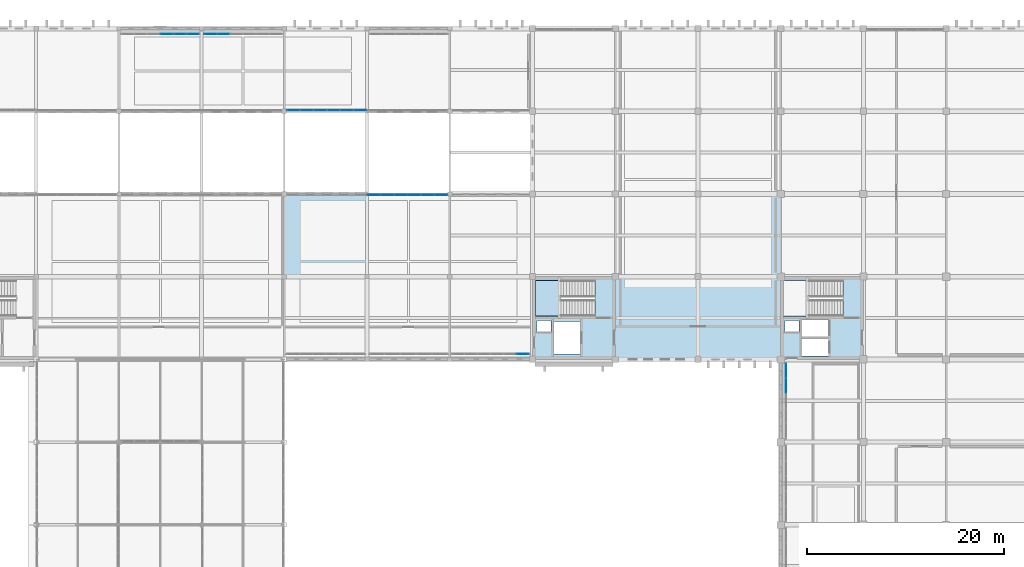
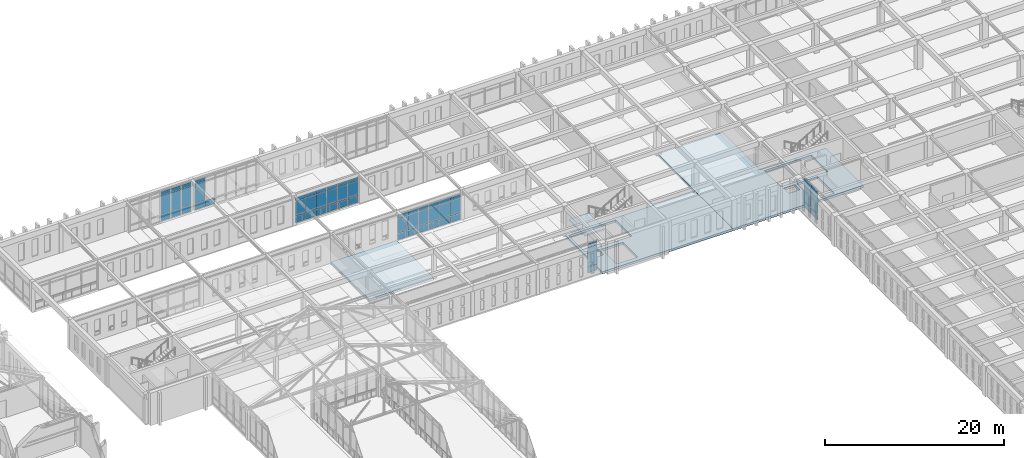
# One storey, part 126 of 192: 58 plates, 4 slabs, 7 elements without a shape of their own.
"""IFC4 building model written with IfcOpenShell, lengths in metres."""

from ifc_helpers import new_model, si_unit, direction, frame, origin, origin_2d, place, context, subcontext, project, spatial, polyline, rectangle, outline, extrude, material, layer, layer_set, type_object, element, aggregate, save


model = new_model("IFC4")

# Units and contexts
model_context = context("Model", 3, precision=1e-05, world=origin(), true_north=direction((0.0, 1.0)))
body_context = subcontext(model_context, "Body", "Model", "MODEL_VIEW")
ifc_project = project(units=[si_unit("LENGTHUNIT", "METRE"), si_unit("AREAUNIT", "SQUARE_METRE"), si_unit("VOLUMEUNIT", "CUBIC_METRE"), si_unit("PLANEANGLEUNIT", "RADIAN"), si_unit("MASSUNIT", "GRAM", prefix="KILO")], contexts=[model_context])

# Site, building, storey
site_placement = place(None, origin())
site = spatial("IfcSite", under=ifc_project, at=site_placement, CompositionType="ELEMENT")
building_placement = place(site_placement, origin())
building = spatial("IfcBuilding", under=site, at=building_placement, Name="Kveldsbrygga Polytechnic", CompositionType="ELEMENT")
storey_placement = place(building_placement, frame((0.0, 0.0, 5.43994140625)))
storey = spatial("IfcBuildingStorey", under=building, at=storey_placement, Name="L01", CompositionType="ELEMENT", Elevation=5.43994140625)

# Curtain wall, plates
ifc_material_1 = material(Name="Anodised aluminium AW-6060", Category="aluminium")
ifc_layer_1 = layer(ifc_material_1, 0.179931640625)
ifc_layer_set_1 = layer_set([ifc_layer_1], Name="Anodised aluminium AW-6060")
curtain_wall_type_1 = type_object("IfcCurtainWallType", Name="CW-CONC-A", PredefinedType="USERDEFINED", material=ifc_layer_set_1)
curtain_wall_1_placement = place(storey_placement, origin())
curtain_wall_1 = element("IfcCurtainWall", 1, at=curtain_wall_1_placement, inside=storey, type_object=curtain_wall_type_1, Name="Curtain Wall CW-L01-X-08-14", ObjectType="UNITISED CURTAIN WALL", PredefinedType="USERDEFINED")
ifc_material_2 = material(Name="Insulated triple low-E glass", Category="glass")
ifc_layer_2 = layer(ifc_material_2, 0.035888671875)
ifc_layer_set_2 = layer_set([ifc_layer_2], Name="Insulated triple low-E glass")
plate_type_1 = type_object("IfcPlateType", Name="CW-PAN-VIS36", PredefinedType="CURTAIN_PANEL", material=ifc_layer_set_2)
plate_1_placement = place(storey_placement, frame((68.0888671875, 117.050048828125, 0.06005859375), z_axis=(0.0, 0.0, 1.0), x_axis=(1.0, 0.0, 0.0)))
plate_1 = element("IfcPlate", 2, at=plate_1_placement, type_object=plate_type_1, Name="CW-01 panel 1.1", PredefinedType="CURTAIN_PANEL", context=body_context, shape_type="SweptSolid", body=[
    extrude(rectangle(XDim=1.237548828125, YDim=0.035888671875, at=origin_2d()), origin(), (0.0, 0.0, 1.0), 0.81005859375),
])
plate_2_placement = place(storey_placement, frame((68.0888671875, 117.050048828125, 0.93017578125), z_axis=(0.0, 0.0, 1.0), x_axis=(1.0, 0.0, 0.0)))
plate_2 = element("IfcPlate", 3, at=plate_2_placement, type_object=plate_type_1, Name="CW-01 panel 1.2", PredefinedType="CURTAIN_PANEL", context=body_context, shape_type="SweptSolid", body=[
    extrude(rectangle(XDim=1.237548828125, YDim=0.035888671875, at=origin_2d()), origin(), (0.0, 0.0, 1.0), 2.610107421875),
])
plate_3_placement = place(storey_placement, frame((68.0888671875, 117.050048828125, 3.60009765625), z_axis=(0.0, 0.0, 1.0), x_axis=(1.0, 0.0, 0.0)))
plate_3 = element("IfcPlate", 4, at=plate_3_placement, type_object=plate_type_1, Name="CW-01 panel 1.3", PredefinedType="CURTAIN_PANEL", context=body_context, shape_type="SweptSolid", body=[
    extrude(rectangle(XDim=1.237548828125, YDim=0.035888671875, at=origin_2d()), origin(), (0.0, 0.0, 1.0), 0.4599609375),
])
plate_4_placement = place(storey_placement, frame((69.4013671875, 117.050048828125, 0.06005859375), z_axis=(0.0, 0.0, 1.0), x_axis=(1.0, 0.0, 0.0)))
plate_4 = element("IfcPlate", 5, at=plate_4_placement, type_object=plate_type_1, Name="CW-01 panel 2.1", PredefinedType="CURTAIN_PANEL", context=body_context, shape_type="SweptSolid", body=[
    extrude(rectangle(XDim=1.267578125, YDim=0.035888671875, at=origin_2d()), origin(), (0.0, 0.0, 1.0), 0.81005859375),
])
aggregate(curtain_wall_1, [plate_1, plate_2, plate_3, plate_4])

curtain_wall_2_placement = place(storey_placement, origin())
curtain_wall_2 = element("IfcCurtainWall", 6, at=curtain_wall_2_placement, inside=storey, type_object=curtain_wall_type_1, Name="Curtain Wall CW-L01-X-09-13", ObjectType="UNITISED CURTAIN WALL", PredefinedType="USERDEFINED")
plate_5_placement = place(storey_placement, frame((76.521240234375, 109.300048828125, 0.06005859375), z_axis=(0.0, 0.0, 1.0), x_axis=(1.0, 0.0, 0.0)))
plate_5 = element("IfcPlate", 7, at=plate_5_placement, type_object=plate_type_1, Name="CW-01 panel 1.1", PredefinedType="CURTAIN_PANEL", context=body_context, shape_type="SweptSolid", body=[
    extrude(rectangle(XDim=1.2724609375, YDim=0.035888671875, at=origin_2d()), origin(), (0.0, 0.0, 1.0), 0.81005859375),
])
plate_6_placement = place(storey_placement, frame((76.521240234375, 109.300048828125, 0.93017578125), z_axis=(0.0, 0.0, 1.0), x_axis=(1.0, 0.0, 0.0)))
plate_6 = element("IfcPlate", 8, at=plate_6_placement, type_object=plate_type_1, Name="CW-01 panel 1.2", PredefinedType="CURTAIN_PANEL", context=body_context, shape_type="SweptSolid", body=[
    extrude(rectangle(XDim=1.2724609375, YDim=0.035888671875, at=origin_2d()), origin(), (0.0, 0.0, 1.0), 2.010009765625),
])
plate_7_placement = place(storey_placement, frame((76.521240234375, 109.300048828125, 3.0), z_axis=(0.0, 0.0, 1.0), x_axis=(1.0, 0.0, 0.0)))
plate_7 = element("IfcPlate", 9, at=plate_7_placement, type_object=plate_type_1, Name="CW-01 panel 1.3", PredefinedType="CURTAIN_PANEL", context=body_context, shape_type="SweptSolid", body=[
    extrude(rectangle(XDim=1.2724609375, YDim=0.035888671875, at=origin_2d()), origin(), (0.0, 0.0, 1.0), 0.4599609375),
])
plate_8_placement = place(storey_placement, frame((77.86865234375, 109.300048828125, 0.06005859375), z_axis=(0.0, 0.0, 1.0), x_axis=(1.0, 0.0, 0.0)))
plate_8 = element("IfcPlate", 10, at=plate_8_placement, type_object=plate_type_1, Name="CW-01 panel 2.1", PredefinedType="CURTAIN_PANEL", context=body_context, shape_type="SweptSolid", body=[
    extrude(rectangle(XDim=1.302490234375, YDim=0.035888671875, at=origin_2d()), origin(), (0.0, 0.0, 1.0), 0.81005859375),
])
plate_9_placement = place(storey_placement, frame((77.86865234375, 109.300048828125, 0.93017578125), z_axis=(0.0, 0.0, 1.0), x_axis=(1.0, 0.0, 0.0)))
plate_9 = element("IfcPlate", 11, at=plate_9_placement, type_object=plate_type_1, Name="CW-01 panel 2.2", PredefinedType="CURTAIN_PANEL", context=body_context, shape_type="SweptSolid", body=[
    extrude(rectangle(XDim=1.302490234375, YDim=0.035888671875, at=origin_2d()), origin(), (0.0, 0.0, 1.0), 2.010009765625),
])
plate_10_placement = place(storey_placement, frame((77.86865234375, 109.300048828125, 3.0), z_axis=(0.0, 0.0, 1.0), x_axis=(1.0, 0.0, 0.0)))
plate_10 = element("IfcPlate", 12, at=plate_10_placement, type_object=plate_type_1, Name="CW-01 panel 2.3", PredefinedType="CURTAIN_PANEL", context=body_context, shape_type="SweptSolid", body=[
    extrude(rectangle(XDim=1.302490234375, YDim=0.035888671875, at=origin_2d()), origin(), (0.0, 0.0, 1.0), 0.4599609375),
])
plate_11_placement = place(storey_placement, frame((79.231201171875, 109.300048828125, 0.06005859375), z_axis=(0.0, 0.0, 1.0), x_axis=(1.0, 0.0, 0.0)))
plate_11 = element("IfcPlate", 13, at=plate_11_placement, type_object=plate_type_1, Name="CW-01 panel 3.1", PredefinedType="CURTAIN_PANEL", context=body_context, shape_type="SweptSolid", body=[
    extrude(rectangle(XDim=1.302490234375, YDim=0.035888671875, at=origin_2d()), origin(), (0.0, 0.0, 1.0), 0.81005859375),
])
plate_12_placement = place(storey_placement, frame((79.231201171875, 109.300048828125, 0.93017578125), z_axis=(0.0, 0.0, 1.0), x_axis=(1.0, 0.0, 0.0)))
plate_12 = element("IfcPlate", 14, at=plate_12_placement, type_object=plate_type_1, Name="CW-01 panel 3.2", PredefinedType="CURTAIN_PANEL", context=body_context, shape_type="SweptSolid", body=[
    extrude(rectangle(XDim=1.302490234375, YDim=0.035888671875, at=origin_2d()), origin(), (0.0, 0.0, 1.0), 2.010009765625),
])
plate_13_placement = place(storey_placement, frame((79.231201171875, 109.300048828125, 3.0), z_axis=(0.0, 0.0, 1.0), x_axis=(1.0, 0.0, 0.0)))
plate_13 = element("IfcPlate", 15, at=plate_13_placement, type_object=plate_type_1, Name="CW-01 panel 3.3", PredefinedType="CURTAIN_PANEL", context=body_context, shape_type="SweptSolid", body=[
    extrude(rectangle(XDim=1.302490234375, YDim=0.035888671875, at=origin_2d()), origin(), (0.0, 0.0, 1.0), 0.4599609375),
])
plate_14_placement = place(storey_placement, frame((80.59375, 109.300048828125, 0.06005859375), z_axis=(0.0, 0.0, 1.0), x_axis=(1.0, 0.0, 0.0)))
plate_14 = element("IfcPlate", 16, at=plate_14_placement, type_object=plate_type_1, Name="CW-01 panel 4.1", PredefinedType="CURTAIN_PANEL", context=body_context, shape_type="SweptSolid", body=[
    extrude(rectangle(XDim=1.302490234375, YDim=0.035888671875, at=origin_2d()), origin(), (0.0, 0.0, 1.0), 0.81005859375),
])
plate_15_placement = place(storey_placement, frame((80.59375, 109.300048828125, 0.93017578125), z_axis=(0.0, 0.0, 1.0), x_axis=(1.0, 0.0, 0.0)))
plate_15 = element("IfcPlate", 17, at=plate_15_placement, type_object=plate_type_1, Name="CW-01 panel 4.2", PredefinedType="CURTAIN_PANEL", context=body_context, shape_type="SweptSolid", body=[
    extrude(rectangle(XDim=1.302490234375, YDim=0.035888671875, at=origin_2d()), origin(), (0.0, 0.0, 1.0), 2.010009765625),
])
plate_16_placement = place(storey_placement, frame((80.59375, 109.300048828125, 3.0), z_axis=(0.0, 0.0, 1.0), x_axis=(1.0, 0.0, 0.0)))
plate_16 = element("IfcPlate", 18, at=plate_16_placement, type_object=plate_type_1, Name="CW-01 panel 4.3", PredefinedType="CURTAIN_PANEL", context=body_context, shape_type="SweptSolid", body=[
    extrude(rectangle(XDim=1.302490234375, YDim=0.035888671875, at=origin_2d()), origin(), (0.0, 0.0, 1.0), 0.4599609375),
])
plate_17_placement = place(storey_placement, frame((81.956298828125, 109.300048828125, 0.06005859375), z_axis=(0.0, 0.0, 1.0), x_axis=(1.0, 0.0, 0.0)))
plate_17 = element("IfcPlate", 19, at=plate_17_placement, type_object=plate_type_1, Name="CW-01 panel 5.1", PredefinedType="CURTAIN_PANEL", context=body_context, shape_type="SweptSolid", body=[
    extrude(rectangle(XDim=1.302490234375, YDim=0.035888671875, at=origin_2d()), origin(), (0.0, 0.0, 1.0), 0.81005859375),
])
plate_18_placement = place(storey_placement, frame((81.956298828125, 109.300048828125, 0.93017578125), z_axis=(0.0, 0.0, 1.0), x_axis=(1.0, 0.0, 0.0)))
plate_18 = element("IfcPlate", 20, at=plate_18_placement, type_object=plate_type_1, Name="CW-01 panel 5.2", PredefinedType="CURTAIN_PANEL", context=body_context, shape_type="SweptSolid", body=[
    extrude(rectangle(XDim=1.302490234375, YDim=0.035888671875, at=origin_2d()), origin(), (0.0, 0.0, 1.0), 2.010009765625),
])
plate_19_placement = place(storey_placement, frame((81.956298828125, 109.300048828125, 3.0), z_axis=(0.0, 0.0, 1.0), x_axis=(1.0, 0.0, 0.0)))
plate_19 = element("IfcPlate", 21, at=plate_19_placement, type_object=plate_type_1, Name="CW-01 panel 5.3", PredefinedType="CURTAIN_PANEL", context=body_context, shape_type="SweptSolid", body=[
    extrude(rectangle(XDim=1.302490234375, YDim=0.035888671875, at=origin_2d()), origin(), (0.0, 0.0, 1.0), 0.4599609375),
])
plate_20_placement = place(storey_placement, frame((83.3037109375, 109.300048828125, 0.06005859375), z_axis=(0.0, 0.0, 1.0), x_axis=(1.0, 0.0, 0.0)))
plate_20 = element("IfcPlate", 22, at=plate_20_placement, type_object=plate_type_1, Name="CW-01 panel 6.1", PredefinedType="CURTAIN_PANEL", context=body_context, shape_type="SweptSolid", body=[
    extrude(rectangle(XDim=1.2724609375, YDim=0.035888671875, at=origin_2d()), origin(), (0.0, 0.0, 1.0), 0.81005859375),
])
plate_21_placement = place(storey_placement, frame((83.3037109375, 109.300048828125, 0.93017578125), z_axis=(0.0, 0.0, 1.0), x_axis=(1.0, 0.0, 0.0)))
plate_21 = element("IfcPlate", 23, at=plate_21_placement, type_object=plate_type_1, Name="CW-01 panel 6.2", PredefinedType="CURTAIN_PANEL", context=body_context, shape_type="SweptSolid", body=[
    extrude(rectangle(XDim=1.2724609375, YDim=0.035888671875, at=origin_2d()), origin(), (0.0, 0.0, 1.0), 2.010009765625),
])
plate_22_placement = place(storey_placement, frame((83.3037109375, 109.300048828125, 3.0), z_axis=(0.0, 0.0, 1.0), x_axis=(1.0, 0.0, 0.0)))
plate_22 = element("IfcPlate", 24, at=plate_22_placement, type_object=plate_type_1, Name="CW-01 panel 6.3", PredefinedType="CURTAIN_PANEL", context=body_context, shape_type="SweptSolid", body=[
    extrude(rectangle(XDim=1.2724609375, YDim=0.035888671875, at=origin_2d()), origin(), (0.0, 0.0, 1.0), 0.4599609375),
])
aggregate(curtain_wall_2, [plate_5, plate_6, plate_7, plate_8, plate_9, plate_10, plate_11, plate_12, plate_13, plate_14, plate_15, plate_16, plate_17, plate_18, plate_19, plate_20, plate_21, plate_22])

curtain_wall_3_placement = place(storey_placement, origin())
curtain_wall_3 = element("IfcCurtainWall", 25, at=curtain_wall_3_placement, inside=storey, type_object=curtain_wall_type_1, Name="Curtain Wall CW-L01-X-10-12", ObjectType="UNITISED CURTAIN WALL", PredefinedType="USERDEFINED")
plate_23_placement = place(storey_placement, frame((84.69873046875, 100.699951171875, 0.06005859375), z_axis=(0.0, 0.0, 1.0), x_axis=(1.0, 0.0, 0.0)))
plate_23 = element("IfcPlate", 26, at=plate_23_placement, type_object=plate_type_1, Name="CW-01 panel 1.1", PredefinedType="CURTAIN_PANEL", context=body_context, shape_type="SweptSolid", body=[
    extrude(rectangle(XDim=1.277587890625, YDim=0.035888671875, at=origin_2d()), origin(), (0.0, 0.0, 1.0), 0.81005859375),
])
plate_24_placement = place(storey_placement, frame((84.69873046875, 100.699951171875, 0.93017578125), z_axis=(0.0, 0.0, 1.0), x_axis=(1.0, 0.0, 0.0)))
plate_24 = element("IfcPlate", 27, at=plate_24_placement, type_object=plate_type_1, Name="CW-01 panel 1.2", PredefinedType="CURTAIN_PANEL", context=body_context, shape_type="SweptSolid", body=[
    extrude(rectangle(XDim=1.277587890625, YDim=0.035888671875, at=origin_2d()), origin(), (0.0, 0.0, 1.0), 2.010009765625),
])
plate_25_placement = place(storey_placement, frame((84.69873046875, 100.699951171875, 3.0), z_axis=(0.0, 0.0, 1.0), x_axis=(1.0, 0.0, 0.0)))
plate_25 = element("IfcPlate", 28, at=plate_25_placement, type_object=plate_type_1, Name="CW-01 panel 1.3", PredefinedType="CURTAIN_PANEL", context=body_context, shape_type="SweptSolid", body=[
    extrude(rectangle(XDim=1.277587890625, YDim=0.035888671875, at=origin_2d()), origin(), (0.0, 0.0, 1.0), 0.4599609375),
])
plate_26_placement = place(storey_placement, frame((86.05126953125, 100.699951171875, 0.06005859375), z_axis=(0.0, 0.0, 1.0), x_axis=(1.0, 0.0, 0.0)))
plate_26 = element("IfcPlate", 29, at=plate_26_placement, type_object=plate_type_1, Name="CW-01 panel 2.1", PredefinedType="CURTAIN_PANEL", context=body_context, shape_type="SweptSolid", body=[
    extrude(rectangle(XDim=1.3076171875, YDim=0.035888671875, at=origin_2d()), origin(), (0.0, 0.0, 1.0), 0.81005859375),
])
plate_27_placement = place(storey_placement, frame((86.05126953125, 100.699951171875, 0.93017578125), z_axis=(0.0, 0.0, 1.0), x_axis=(1.0, 0.0, 0.0)))
plate_27 = element("IfcPlate", 30, at=plate_27_placement, type_object=plate_type_1, Name="CW-01 panel 2.2", PredefinedType="CURTAIN_PANEL", context=body_context, shape_type="SweptSolid", body=[
    extrude(rectangle(XDim=1.3076171875, YDim=0.035888671875, at=origin_2d()), origin(), (0.0, 0.0, 1.0), 2.010009765625),
])
plate_28_placement = place(storey_placement, frame((86.05126953125, 100.699951171875, 3.0), z_axis=(0.0, 0.0, 1.0), x_axis=(1.0, 0.0, 0.0)))
plate_28 = element("IfcPlate", 31, at=plate_28_placement, type_object=plate_type_1, Name="CW-01 panel 2.3", PredefinedType="CURTAIN_PANEL", context=body_context, shape_type="SweptSolid", body=[
    extrude(rectangle(XDim=1.3076171875, YDim=0.035888671875, at=origin_2d()), origin(), (0.0, 0.0, 1.0), 0.4599609375),
])
plate_29_placement = place(storey_placement, frame((87.418701171875, 100.699951171875, 0.06005859375), z_axis=(0.0, 0.0, 1.0), x_axis=(1.0, 0.0, 0.0)))
plate_29 = element("IfcPlate", 32, at=plate_29_placement, type_object=plate_type_1, Name="CW-01 panel 3.1", PredefinedType="CURTAIN_PANEL", context=body_context, shape_type="SweptSolid", body=[
    extrude(rectangle(XDim=1.3076171875, YDim=0.035888671875, at=origin_2d()), origin(), (0.0, 0.0, 1.0), 0.81005859375),
])
plate_30_placement = place(storey_placement, frame((87.418701171875, 100.699951171875, 0.93017578125), z_axis=(0.0, 0.0, 1.0), x_axis=(1.0, 0.0, 0.0)))
plate_30 = element("IfcPlate", 33, at=plate_30_placement, type_object=plate_type_1, Name="CW-01 panel 3.2", PredefinedType="CURTAIN_PANEL", context=body_context, shape_type="SweptSolid", body=[
    extrude(rectangle(XDim=1.3076171875, YDim=0.035888671875, at=origin_2d()), origin(), (0.0, 0.0, 1.0), 2.010009765625),
])
plate_31_placement = place(storey_placement, frame((87.418701171875, 100.699951171875, 3.0), z_axis=(0.0, 0.0, 1.0), x_axis=(1.0, 0.0, 0.0)))
plate_31 = element("IfcPlate", 34, at=plate_31_placement, type_object=plate_type_1, Name="CW-01 panel 3.3", PredefinedType="CURTAIN_PANEL", context=body_context, shape_type="SweptSolid", body=[
    extrude(rectangle(XDim=1.3076171875, YDim=0.035888671875, at=origin_2d()), origin(), (0.0, 0.0, 1.0), 0.4599609375),
])
plate_32_placement = place(storey_placement, frame((88.7861328125, 100.699951171875, 0.06005859375), z_axis=(0.0, 0.0, 1.0), x_axis=(1.0, 0.0, 0.0)))
plate_32 = element("IfcPlate", 35, at=plate_32_placement, type_object=plate_type_1, Name="CW-01 panel 4.1", PredefinedType="CURTAIN_PANEL", context=body_context, shape_type="SweptSolid", body=[
    extrude(rectangle(XDim=1.3076171875, YDim=0.035888671875, at=origin_2d()), origin(), (0.0, 0.0, 1.0), 0.81005859375),
])
plate_33_placement = place(storey_placement, frame((88.7861328125, 100.699951171875, 0.93017578125), z_axis=(0.0, 0.0, 1.0), x_axis=(1.0, 0.0, 0.0)))
plate_33 = element("IfcPlate", 36, at=plate_33_placement, type_object=plate_type_1, Name="CW-01 panel 4.2", PredefinedType="CURTAIN_PANEL", context=body_context, shape_type="SweptSolid", body=[
    extrude(rectangle(XDim=1.3076171875, YDim=0.035888671875, at=origin_2d()), origin(), (0.0, 0.0, 1.0), 2.010009765625),
])
plate_34_placement = place(storey_placement, frame((88.7861328125, 100.699951171875, 3.0), z_axis=(0.0, 0.0, 1.0), x_axis=(1.0, 0.0, 0.0)))
plate_34 = element("IfcPlate", 37, at=plate_34_placement, type_object=plate_type_1, Name="CW-01 panel 4.3", PredefinedType="CURTAIN_PANEL", context=body_context, shape_type="SweptSolid", body=[
    extrude(rectangle(XDim=1.3076171875, YDim=0.035888671875, at=origin_2d()), origin(), (0.0, 0.0, 1.0), 0.4599609375),
])
plate_35_placement = place(storey_placement, frame((90.15380859375, 100.699951171875, 0.06005859375), z_axis=(0.0, 0.0, 1.0), x_axis=(1.0, 0.0, 0.0)))
plate_35 = element("IfcPlate", 38, at=plate_35_placement, type_object=plate_type_1, Name="CW-01 panel 5.1", PredefinedType="CURTAIN_PANEL", context=body_context, shape_type="SweptSolid", body=[
    extrude(rectangle(XDim=1.3076171875, YDim=0.035888671875, at=origin_2d()), origin(), (0.0, 0.0, 1.0), 0.81005859375),
])
plate_36_placement = place(storey_placement, frame((90.15380859375, 100.699951171875, 0.93017578125), z_axis=(0.0, 0.0, 1.0), x_axis=(1.0, 0.0, 0.0)))
plate_36 = element("IfcPlate", 39, at=plate_36_placement, type_object=plate_type_1, Name="CW-01 panel 5.2", PredefinedType="CURTAIN_PANEL", context=body_context, shape_type="SweptSolid", body=[
    extrude(rectangle(XDim=1.3076171875, YDim=0.035888671875, at=origin_2d()), origin(), (0.0, 0.0, 1.0), 2.010009765625),
])
plate_37_placement = place(storey_placement, frame((90.15380859375, 100.699951171875, 3.0), z_axis=(0.0, 0.0, 1.0), x_axis=(1.0, 0.0, 0.0)))
plate_37 = element("IfcPlate", 40, at=plate_37_placement, type_object=plate_type_1, Name="CW-01 panel 5.3", PredefinedType="CURTAIN_PANEL", context=body_context, shape_type="SweptSolid", body=[
    extrude(rectangle(XDim=1.3076171875, YDim=0.035888671875, at=origin_2d()), origin(), (0.0, 0.0, 1.0), 0.4599609375),
])
plate_38_placement = place(storey_placement, frame((91.50634765625, 100.699951171875, 0.06005859375), z_axis=(0.0, 0.0, 1.0), x_axis=(1.0, 0.0, 0.0)))
plate_38 = element("IfcPlate", 41, at=plate_38_placement, type_object=plate_type_1, Name="CW-01 panel 6.1", PredefinedType="CURTAIN_PANEL", context=body_context, shape_type="SweptSolid", body=[
    extrude(rectangle(XDim=1.277587890625, YDim=0.035888671875, at=origin_2d()), origin(), (0.0, 0.0, 1.0), 0.81005859375),
])
plate_39_placement = place(storey_placement, frame((91.50634765625, 100.699951171875, 0.93017578125), z_axis=(0.0, 0.0, 1.0), x_axis=(1.0, 0.0, 0.0)))
plate_39 = element("IfcPlate", 42, at=plate_39_placement, type_object=plate_type_1, Name="CW-01 panel 6.2", PredefinedType="CURTAIN_PANEL", context=body_context, shape_type="SweptSolid", body=[
    extrude(rectangle(XDim=1.277587890625, YDim=0.035888671875, at=origin_2d()), origin(), (0.0, 0.0, 1.0), 2.010009765625),
])
plate_40_placement = place(storey_placement, frame((91.50634765625, 100.699951171875, 3.0), z_axis=(0.0, 0.0, 1.0), x_axis=(1.0, 0.0, 0.0)))
plate_40 = element("IfcPlate", 43, at=plate_40_placement, type_object=plate_type_1, Name="CW-01 panel 6.3", PredefinedType="CURTAIN_PANEL", context=body_context, shape_type="SweptSolid", body=[
    extrude(rectangle(XDim=1.277587890625, YDim=0.035888671875, at=origin_2d()), origin(), (0.0, 0.0, 1.0), 0.4599609375),
])
aggregate(curtain_wall_3, [plate_23, plate_24, plate_25, plate_26, plate_27, plate_28, plate_29, plate_30, plate_31, plate_32, plate_33, plate_34, plate_35, plate_36, plate_37, plate_38, plate_39, plate_40])

ifc_layer_3 = layer(ifc_material_1, 0.2099609375)
ifc_layer_set_3 = layer_set([ifc_layer_3], Name="Anodised aluminium AW-6060")
curtain_wall_type_2 = type_object("IfcCurtainWallType", Name="CW-LIBR-H", PredefinedType="USERDEFINED", material=ifc_layer_set_3)
curtain_wall_4_placement = place(storey_placement, origin())
curtain_wall_4 = element("IfcCurtainWall", 44, at=curtain_wall_4_placement, inside=storey, type_object=curtain_wall_type_2, Name="Curtain Wall CW-L01-X-07-14", ObjectType="UNITISED CURTAIN WALL", PredefinedType="USERDEFINED")
ifc_layer_4 = layer(ifc_material_2, 0.0419921875)
ifc_layer_set_4 = layer_set([ifc_layer_4], Name="Insulated triple low-E glass")
plate_type_2 = type_object("IfcPlateType", Name="CW-PAN-VIS42", PredefinedType="CURTAIN_PANEL", material=ifc_layer_set_4)
plate_41_placement = place(storey_placement, frame((63.65869140625, 117.050048828125, 0.06005859375), z_axis=(0.0, 0.0, 1.0), x_axis=(1.0, 0.0, 0.0)))
plate_41 = element("IfcPlate", 45, at=plate_41_placement, type_object=plate_type_2, Name="CW-08 panel 4.1", PredefinedType="CURTAIN_PANEL", context=body_context, shape_type="SweptSolid", body=[
    extrude(rectangle(XDim=1.257568359375, YDim=0.0419921875, at=origin_2d()), origin(), (0.0, 0.0, 1.0), 0.81005859375),
])
plate_42_placement = place(storey_placement, frame((63.65869140625, 117.050048828125, 0.93017578125), z_axis=(0.0, 0.0, 1.0), x_axis=(1.0, 0.0, 0.0)))
plate_42 = element("IfcPlate", 46, at=plate_42_placement, type_object=plate_type_2, Name="CW-08 panel 4.2", PredefinedType="CURTAIN_PANEL", context=body_context, shape_type="SweptSolid", body=[
    extrude(rectangle(XDim=1.257568359375, YDim=0.0419921875, at=origin_2d()), origin(), (0.0, 0.0, 1.0), 2.610107421875),
])
plate_43_placement = place(storey_placement, frame((63.65869140625, 117.050048828125, 3.60009765625), z_axis=(0.0, 0.0, 1.0), x_axis=(1.0, 0.0, 0.0)))
plate_43 = element("IfcPlate", 47, at=plate_43_placement, type_object=plate_type_2, Name="CW-08 panel 4.3", PredefinedType="CURTAIN_PANEL", context=body_context, shape_type="SweptSolid", body=[
    extrude(rectangle(XDim=1.257568359375, YDim=0.0419921875, at=origin_2d()), origin(), (0.0, 0.0, 1.0), 0.4599609375),
])
plate_44_placement = place(storey_placement, frame((64.9912109375, 117.050048828125, 0.06005859375), z_axis=(0.0, 0.0, 1.0), x_axis=(1.0, 0.0, 0.0)))
plate_44 = element("IfcPlate", 48, at=plate_44_placement, type_object=plate_type_2, Name="CW-08 panel 5.1", PredefinedType="CURTAIN_PANEL", context=body_context, shape_type="SweptSolid", body=[
    extrude(rectangle(XDim=1.257568359375, YDim=0.0419921875, at=origin_2d()), origin(), (0.0, 0.0, 1.0), 0.81005859375),
])
plate_45_placement = place(storey_placement, frame((64.9912109375, 117.050048828125, 0.93017578125), z_axis=(0.0, 0.0, 1.0), x_axis=(1.0, 0.0, 0.0)))
plate_45 = element("IfcPlate", 49, at=plate_45_placement, type_object=plate_type_2, Name="CW-08 panel 5.2", PredefinedType="CURTAIN_PANEL", context=body_context, shape_type="SweptSolid", body=[
    extrude(rectangle(XDim=1.257568359375, YDim=0.0419921875, at=origin_2d()), origin(), (0.0, 0.0, 1.0), 2.610107421875),
])
plate_46_placement = place(storey_placement, frame((64.9912109375, 117.050048828125, 3.60009765625), z_axis=(0.0, 0.0, 1.0), x_axis=(1.0, 0.0, 0.0)))
plate_46 = element("IfcPlate", 50, at=plate_46_placement, type_object=plate_type_2, Name="CW-08 panel 5.3", PredefinedType="CURTAIN_PANEL", context=body_context, shape_type="SweptSolid", body=[
    extrude(rectangle(XDim=1.257568359375, YDim=0.0419921875, at=origin_2d()), origin(), (0.0, 0.0, 1.0), 0.4599609375),
])
plate_47_placement = place(storey_placement, frame((66.304931640625, 117.050048828125, 0.06005859375), z_axis=(0.0, 0.0, 1.0), x_axis=(1.0, 0.0, 0.0)))
plate_47 = element("IfcPlate", 51, at=plate_47_placement, type_object=plate_type_2, Name="CW-08 panel 6.1", PredefinedType="CURTAIN_PANEL", context=body_context, shape_type="SweptSolid", body=[
    extrude(rectangle(XDim=1.219970703125, YDim=0.0419921875, at=origin_2d()), origin(), (0.0, 0.0, 1.0), 0.81005859375),
])
plate_48_placement = place(storey_placement, frame((66.304931640625, 117.050048828125, 0.93017578125), z_axis=(0.0, 0.0, 1.0), x_axis=(1.0, 0.0, 0.0)))
plate_48 = element("IfcPlate", 52, at=plate_48_placement, type_object=plate_type_2, Name="CW-08 panel 6.2", PredefinedType="CURTAIN_PANEL", context=body_context, shape_type="SweptSolid", body=[
    extrude(rectangle(XDim=1.219970703125, YDim=0.0419921875, at=origin_2d()), origin(), (0.0, 0.0, 1.0), 2.610107421875),
])
plate_49_placement = place(storey_placement, frame((66.304931640625, 117.050048828125, 3.60009765625), z_axis=(0.0, 0.0, 1.0), x_axis=(1.0, 0.0, 0.0)))
plate_49 = element("IfcPlate", 53, at=plate_49_placement, type_object=plate_type_2, Name="CW-08 panel 6.3", PredefinedType="CURTAIN_PANEL", context=body_context, shape_type="SweptSolid", body=[
    extrude(rectangle(XDim=1.219970703125, YDim=0.0419921875, at=origin_2d()), origin(), (0.0, 0.0, 1.0), 0.4599609375),
])
aggregate(curtain_wall_4, [plate_41, plate_42, plate_43, plate_44, plate_45, plate_46, plate_47, plate_48, plate_49])

curtain_wall_5_placement = place(storey_placement, origin())
curtain_wall_5 = element("IfcCurtainWall", 54, at=curtain_wall_5_placement, inside=storey, type_object=curtain_wall_type_2, Name="Curtain Wall CW-L01-X-11-10", ObjectType="UNITISED CURTAIN WALL", PredefinedType="USERDEFINED")
plate_50_placement = place(storey_placement, frame((99.813232421875, 84.550048828125, 0.06005859375), z_axis=(0.0, 0.0, 1.0), x_axis=(1.0, 0.0, 0.0)))
plate_50 = element("IfcPlate", 55, at=plate_50_placement, type_object=plate_type_2, Name="CW-08 panel 6.1", PredefinedType="CURTAIN_PANEL", context=body_context, shape_type="SweptSolid", body=[
    extrude(rectangle(XDim=1.203369140625, YDim=0.0419921875, at=origin_2d()), origin(), (0.0, 0.0, 1.0), 0.81005859375),
])
plate_51_placement = place(storey_placement, frame((99.813232421875, 84.550048828125, 0.93017578125), z_axis=(0.0, 0.0, 1.0), x_axis=(1.0, 0.0, 0.0)))
plate_51 = element("IfcPlate", 56, at=plate_51_placement, type_object=plate_type_2, Name="CW-08 panel 6.2", PredefinedType="CURTAIN_PANEL", context=body_context, shape_type="SweptSolid", body=[
    extrude(rectangle(XDim=1.203369140625, YDim=0.0419921875, at=origin_2d()), origin(), (0.0, 0.0, 1.0), 2.610107421875),
])
plate_52_placement = place(storey_placement, frame((99.813232421875, 84.550048828125, 3.60009765625), z_axis=(0.0, 0.0, 1.0), x_axis=(1.0, 0.0, 0.0)))
plate_52 = element("IfcPlate", 57, at=plate_52_placement, type_object=plate_type_2, Name="CW-08 panel 6.3", PredefinedType="CURTAIN_PANEL", context=body_context, shape_type="SweptSolid", body=[
    extrude(rectangle(XDim=1.203369140625, YDim=0.0419921875, at=origin_2d()), origin(), (0.0, 0.0, 1.0), 0.4599609375),
])
aggregate(curtain_wall_5, [plate_50, plate_51, plate_52])

ifc_layer_5 = layer(ifc_material_1, 0.159912109375)
ifc_layer_set_5 = layer_set([ifc_layer_5], Name="Anodised aluminium AW-6060")
curtain_wall_type_3 = type_object("IfcCurtainWallType", Name="CW-CLER-C", PredefinedType="USERDEFINED", material=ifc_layer_set_5)
curtain_wall_6_placement = place(storey_placement, origin())
curtain_wall_6 = element("IfcCurtainWall", 58, at=curtain_wall_6_placement, inside=storey, type_object=curtain_wall_type_3, Name="Curtain Wall CW-L01-Y-15-09", ObjectType="STICK CURTAIN WALL", PredefinedType="USERDEFINED")
ifc_layer_6 = layer(ifc_material_2, 0.048095703125)
ifc_layer_set_6 = layer_set([ifc_layer_6], Name="Insulated triple low-E glass")
plate_type_3 = type_object("IfcPlateType", Name="CW-PAN-VIS48", PredefinedType="CURTAIN_PANEL", material=ifc_layer_set_6)
plate_53_placement = place(storey_placement, frame((126.550048828125, 81.346435546875, 0.074951171875), z_axis=(0.0, 0.0, 1.0), x_axis=(0.0, 1.0, 0.0)))
plate_53 = element("IfcPlate", 59, at=plate_53_placement, type_object=plate_type_3, Name="CW-03 panel 4.1", PredefinedType="CURTAIN_PANEL", context=body_context, shape_type="SweptSolid", body=[
    extrude(rectangle(XDim=1.464111328125, YDim=0.048095703125, at=origin_2d()), origin(), (0.0, 0.0, 1.0), 0.78759765625),
])
plate_54_placement = place(storey_placement, frame((126.550048828125, 81.346435546875, 0.9375), z_axis=(0.0, 0.0, 1.0), x_axis=(0.0, 1.0, 0.0)))
plate_54 = element("IfcPlate", 60, at=plate_54_placement, type_object=plate_type_3, Name="CW-03 panel 4.2", PredefinedType="CURTAIN_PANEL", context=body_context, shape_type="SweptSolid", body=[
    extrude(rectangle(XDim=1.464111328125, YDim=0.048095703125, at=origin_2d()), origin(), (0.0, 0.0, 1.0), 2.594970703125),
])
plate_55_placement = place(storey_placement, frame((126.550048828125, 81.346435546875, 3.607666015625), z_axis=(0.0, 0.0, 1.0), x_axis=(0.0, 1.0, 0.0)))
plate_55 = element("IfcPlate", 61, at=plate_55_placement, type_object=plate_type_3, Name="CW-03 panel 4.3", PredefinedType="CURTAIN_PANEL", context=body_context, shape_type="SweptSolid", body=[
    extrude(rectangle(XDim=1.464111328125, YDim=0.048095703125, at=origin_2d()), origin(), (0.0, 0.0, 1.0), 0.4375),
])
plate_56_placement = place(storey_placement, frame((126.550048828125, 82.86669921875, 0.074951171875), z_axis=(0.0, 0.0, 1.0), x_axis=(0.0, 1.0, 0.0)))
plate_56 = element("IfcPlate", 62, at=plate_56_placement, type_object=plate_type_3, Name="CW-03 panel 5.1", PredefinedType="CURTAIN_PANEL", context=body_context, shape_type="SweptSolid", body=[
    extrude(rectangle(XDim=1.426513671875, YDim=0.048095703125, at=origin_2d()), origin(), (0.0, 0.0, 1.0), 0.78759765625),
])
plate_57_placement = place(storey_placement, frame((126.550048828125, 82.86669921875, 0.9375), z_axis=(0.0, 0.0, 1.0), x_axis=(0.0, 1.0, 0.0)))
plate_57 = element("IfcPlate", 63, at=plate_57_placement, type_object=plate_type_3, Name="CW-03 panel 5.2", PredefinedType="CURTAIN_PANEL", context=body_context, shape_type="SweptSolid", body=[
    extrude(rectangle(XDim=1.426513671875, YDim=0.048095703125, at=origin_2d()), origin(), (0.0, 0.0, 1.0), 2.594970703125),
])
plate_58_placement = place(storey_placement, frame((126.550048828125, 82.86669921875, 3.607666015625), z_axis=(0.0, 0.0, 1.0), x_axis=(0.0, 1.0, 0.0)))
plate_58 = element("IfcPlate", 64, at=plate_58_placement, type_object=plate_type_3, Name="CW-03 panel 5.3", PredefinedType="CURTAIN_PANEL", context=body_context, shape_type="SweptSolid", body=[
    extrude(rectangle(XDim=1.426513671875, YDim=0.048095703125, at=origin_2d()), origin(), (0.0, 0.0, 1.0), 0.4375),
])
aggregate(curtain_wall_6, [plate_53, plate_54, plate_55, plate_56, plate_57, plate_58])

# Slabs
ifc_material_3 = material(Name="Concrete C35/45", Category="concrete")
ifc_layer_7 = layer(ifc_material_3, 0.300048828125)
ifc_layer_set_7 = layer_set([ifc_layer_7], Name="Concrete C35/45")
slab_type_1 = type_object("IfcSlabType", Name="SLB-LAB-300", PredefinedType="FLOOR", material=ifc_layer_set_7)
slab_1_placement = place(storey_placement, frame((0.0, 0.0, -0.300048828125)))
element("IfcSlab", 65, at=slab_1_placement, inside=storey, type_object=slab_type_1, Name="Slab SLB-L01-V4-Z8-1", PredefinedType="FLOOR", context=body_context, shape_type="SweptSolid", body=[
    extrude(outline(polyline([(100.800048828125, 84.0), (100.800048828125, 92.39990234375), (109.199951171875, 92.39990234375), (117.60009765625, 92.39990234375), (117.60009765625, 84.0), (109.199951171875, 84.0), (100.800048828125, 84.0)]), holes=[polyline([(107.125, 92.0), (101.10009765625, 92.0), (101.10009765625, 88.39990234375), (107.125, 88.39990234375), (107.125, 92.0)]), polyline([(102.949951171875, 84.550048828125), (105.64990234375, 84.550048828125), (105.64990234375, 87.85009765625), (102.949951171875, 87.85009765625), (102.949951171875, 84.550048828125)]), polyline([(101.25, 86.85009765625), (102.64990234375, 86.85009765625), (102.64990234375, 87.949951171875), (101.25, 87.949951171875), (101.25, 86.85009765625)])]), origin(), (0.0, 0.0, 1.0), 0.300048828125),
])
slab_2_placement = place(storey_placement, frame((0.0, 0.0, -0.300048828125)))
element("IfcSlab", 66, at=slab_2_placement, inside=storey, type_object=slab_type_1, Name="Slab SLB-L01-V4-Z9-1", PredefinedType="FLOOR", context=body_context, shape_type="SweptSolid", body=[
    extrude(outline(polyline([(117.60009765625, 100.800048828125), (126.0, 100.800048828125), (126.0, 92.39990234375), (134.39990234375, 92.39990234375), (134.39990234375, 84.0), (126.0, 84.0), (117.60009765625, 84.0), (117.60009765625, 92.39990234375), (117.60009765625, 100.800048828125)]), holes=[polyline([(132.324951171875, 92.0), (126.300048828125, 92.0), (126.300048828125, 88.39990234375), (132.324951171875, 88.39990234375), (132.324951171875, 92.0)]), polyline([(128.14990234375, 84.35009765625), (130.85009765625, 84.35009765625), (130.85009765625, 88.050048828125), (128.14990234375, 88.050048828125), (128.14990234375, 84.35009765625)]), polyline([(126.449951171875, 86.85009765625), (127.85009765625, 86.85009765625), (127.85009765625, 87.949951171875), (126.449951171875, 87.949951171875), (126.449951171875, 86.85009765625)])]), origin(), (0.0, 0.0, 1.0), 0.300048828125),
])

# Stair, slab
stair_type = type_object("IfcStairType", Name="STR-CORE-442", PredefinedType="HALF_TURN_STAIR", material=ifc_material_3)
stair_placement = place(storey_placement, origin())
stair = element("IfcStair", 67, at=stair_placement, inside=storey, type_object=stair_type, Name="L01 Core C5 Escape Stair ST-5", PredefinedType="HALF_TURN_STAIR")
ifc_layer_8 = layer(ifc_material_3, 0.199951171875)
ifc_layer_set_8 = layer_set([ifc_layer_8], Name="Concrete C35/45")
slab_type_2 = type_object("IfcSlabType", Name="SLB-LANDING-200", PredefinedType="LANDING", material=ifc_layer_set_8)
slab_3_placement = place(storey_placement, frame((0.0, 0.0, 2.010009765625)))
slab_3 = element("IfcSlab", 68, at=slab_3_placement, type_object=slab_type_2, Name="ST-5 landing 1", PredefinedType="LANDING", context=body_context, shape_type="SweptSolid", body=[
    extrude(outline(polyline([(103.669921875, 92.0), (101.10009765625, 92.0), (101.10009765625, 88.39990234375), (103.669921875, 88.39990234375), (103.669921875, 92.0)])), origin(), (0.0, 0.0, 1.0), 0.199951171875),
])
aggregate(stair, [slab_3])

# Slab
ifc_layer_9 = layer(ifc_material_3, 0.280029296875)
ifc_layer_set_9 = layer_set([ifc_layer_9], Name="Concrete C35/45")
slab_type_3 = type_object("IfcSlabType", Name="SLB-STD-280", PredefinedType="FLOOR", material=ifc_layer_set_9)
slab_4_placement = place(storey_placement, frame((0.0, 0.0, -0.280029296875)))
element("IfcSlab", 69, at=slab_4_placement, inside=storey, type_object=slab_type_3, Name="Slab SLB-L01-V2-Z8-2", PredefinedType="FLOOR", context=body_context, shape_type="SweptSolid", body=[
    extrude(outline(polyline([(84.0, 100.800048828125), (84.0, 92.39990234375), (75.60009765625, 92.39990234375), (75.60009765625, 100.800048828125), (84.0, 100.800048828125)])), origin(), (0.0, 0.0, 1.0), 0.280029296875),
])

save(model, "model.ifc")
